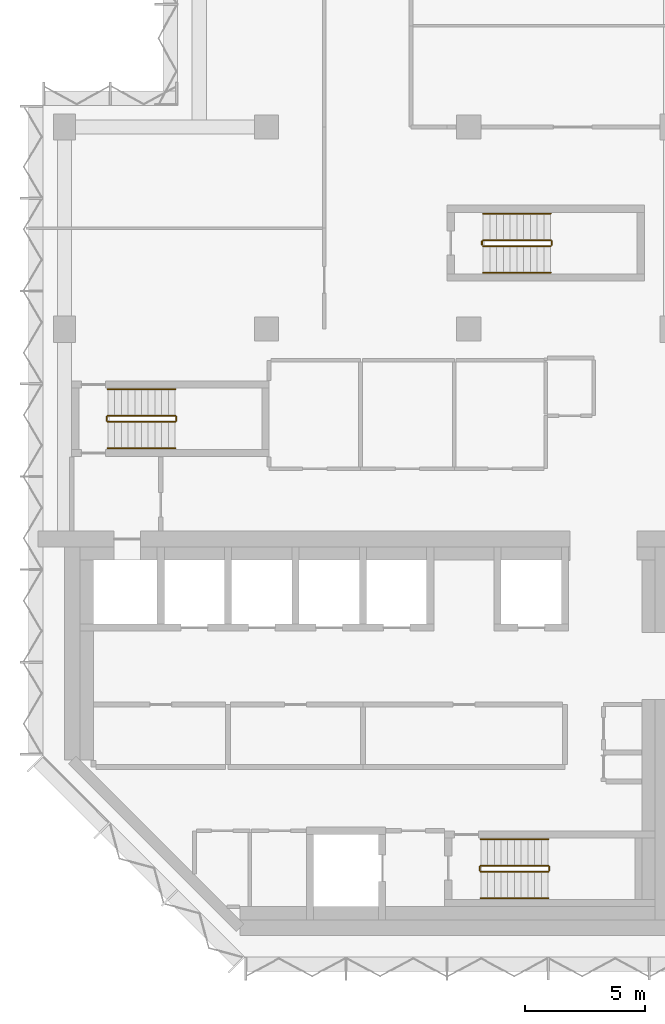
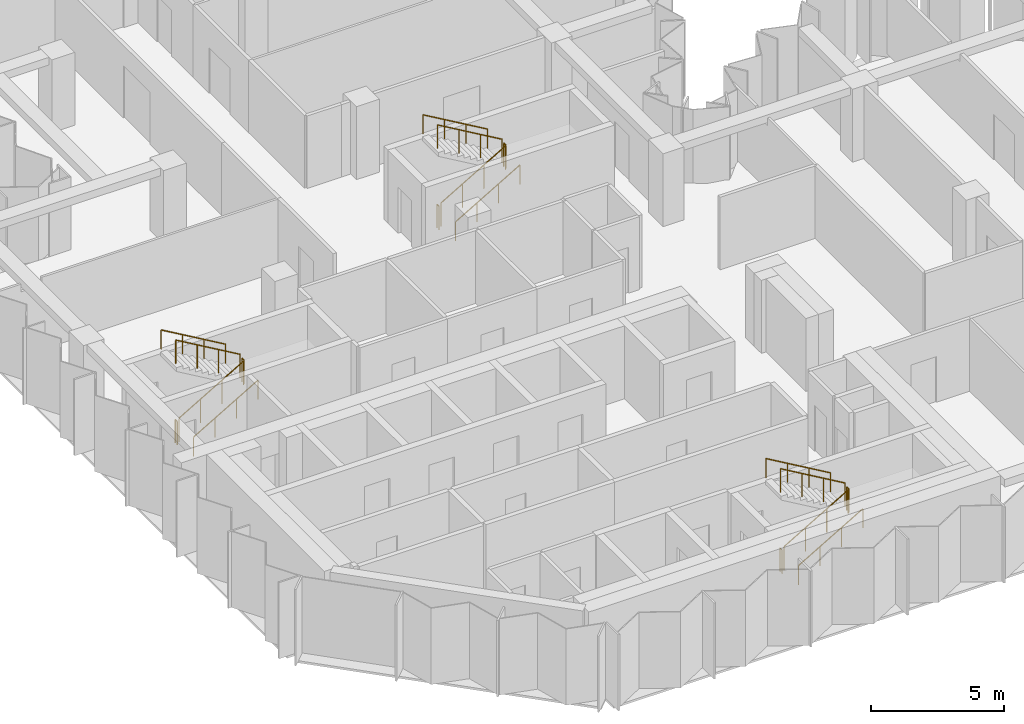
# One storey, part 9 of 10: 18 railings.
"""IFC4 building model written with IfcOpenShell, lengths in metres."""

from ifc_helpers import new_model, si_unit, direction, frame, origin, origin_2d, place, context, subcontext, project, spatial, circle, extrude, material, type_object, element, save


model = new_model("IFC4")

# Units and contexts
model_context = context("Model", 3, precision=1e-05, world=origin(), true_north=direction((0.0, 1.0)))
body_context = subcontext(model_context, "Body", "Model", "MODEL_VIEW")
ifc_project = project(units=[si_unit("LENGTHUNIT", "METRE"), si_unit("AREAUNIT", "SQUARE_METRE"), si_unit("VOLUMEUNIT", "CUBIC_METRE"), si_unit("PLANEANGLEUNIT", "RADIAN"), si_unit("MASSUNIT", "GRAM", prefix="KILO")], contexts=[model_context])

# Site, building, storey
site_placement = place(None, origin())
site = spatial("IfcSite", under=ifc_project, at=site_placement, CompositionType="ELEMENT")
building_placement = place(site_placement, origin())
building = spatial("IfcBuilding", under=site, at=building_placement, Name="Brevane Broadcast Tower", CompositionType="ELEMENT")
storey_placement = place(building_placement, frame((0.0, 0.0, 199.199951171875)))
storey = spatial("IfcBuildingStorey", under=building, at=storey_placement, Name="L50", CompositionType="ELEMENT", Elevation=199.199951171875)

# Railings
ifc_material = material(Name="Steel S355", Category="steel")
railing_type_1 = type_object("IfcRailingType", Name="Exit stair guard", PredefinedType="GUARDRAIL", material=ifc_material)
railing_1_placement = place(storey_placement, frame((1.800048828125, 21.35009765625, 0.16357421875)))
element("IfcRailing", 1, at=railing_1_placement, inside=storey, type_object=railing_type_1, Name="L50 ST-1 stair guard 1", PredefinedType="GUARDRAIL", context=body_context, shape_type="SweptSolid", body=[
    extrude(circle(Radius=0.02392578125, at=origin_2d()), frame((0.0, 0.0, 1.076171875), z_axis=(0.863360870873, 0.0, 0.504586966384), x_axis=(0.0, 1.0, 0.0)), (0.0, 0.0, 1.0), 3.2431640625),
    extrude(circle(Radius=0.02099609375, at=origin_2d()), origin(), (0.0, 0.0, 1.0), 1.052001953125),
    extrude(circle(Radius=0.02099609375, at=origin_2d()), frame((0.933349609375, 0.0, 0.54541015625)), (0.0, 0.0, 1.0), 1.052001953125),
    extrude(circle(Radius=0.02099609375, at=origin_2d()), frame((1.86669921875, 0.0, 1.091064453125)), (0.0, 0.0, 1.0), 1.052001953125),
    extrude(circle(Radius=0.02099609375, at=origin_2d()), frame((2.800048828125, 0.0, 1.636474609375)), (0.0, 0.0, 1.0), 1.052001953125),
])
railing_2_placement = place(storey_placement, frame((4.64990234375, 21.39990234375, 1.800048828125)))
element("IfcRailing", 2, at=railing_2_placement, inside=storey, type_object=railing_type_1, Name="L50 ST-1 stair guard 2", PredefinedType="GUARDRAIL", context=body_context, shape_type="SweptSolid", body=[
    extrude(circle(Radius=0.02392578125, at=origin_2d()), frame((0.0, 0.0, 1.076171875), z_axis=(0.0, 1.0, 0.0), x_axis=(-1.0, 0.0, 0.0)), (0.0, 0.0, 1.0), 0.150146484375),
    extrude(circle(Radius=0.02099609375, at=origin_2d()), origin(), (0.0, 0.0, 1.0), 1.052001953125),
    extrude(circle(Radius=0.02099609375, at=origin_2d()), frame((0.0, 0.150146484375, 0.0)), (0.0, 0.0, 1.0), 1.052001953125),
])
railing_3_placement = place(storey_placement, frame((4.60009765625, 21.60009765625, 1.963623046875)))
element("IfcRailing", 3, at=railing_3_placement, inside=storey, type_object=railing_type_1, Name="L50 ST-1 stair guard 3", PredefinedType="GUARDRAIL", context=body_context, shape_type="SweptSolid", body=[
    extrude(circle(Radius=0.02392578125, at=origin_2d()), frame((0.0, 0.0, 1.076171875), z_axis=(-0.863360870873, 0.0, 0.504586966384), x_axis=(0.0, -1.0, 0.0)), (0.0, 0.0, 1.0), 3.2431640625),
    extrude(circle(Radius=0.02099609375, at=origin_2d()), origin(), (0.0, 0.0, 1.0), 1.052001953125),
    extrude(circle(Radius=0.02099609375, at=origin_2d()), frame((-0.933349609375, 0.0, 0.54541015625)), (0.0, 0.0, 1.0), 1.052001953125),
    extrude(circle(Radius=0.02099609375, at=origin_2d()), frame((-1.86669921875, 0.0, 1.091064453125)), (0.0, 0.0, 1.0), 1.052001953125),
    extrude(circle(Radius=0.02099609375, at=origin_2d()), frame((-2.800048828125, 0.0, 1.636474609375)), (0.0, 0.0, 1.0), 1.052001953125),
])
railing_4_placement = place(storey_placement, frame((1.75, 21.39990234375, 0.0)))
element("IfcRailing", 4, at=railing_4_placement, inside=storey, type_object=railing_type_1, Name="L50 ST-1 stair guard 4", PredefinedType="GUARDRAIL", context=body_context, shape_type="SweptSolid", body=[
    extrude(circle(Radius=0.02392578125, at=origin_2d()), frame((0.0, 0.0, 1.076171875), z_axis=(0.0, 1.0, 0.0), x_axis=(-1.0, 0.0, 0.0)), (0.0, 0.0, 1.0), 0.150146484375),
    extrude(circle(Radius=0.02099609375, at=origin_2d()), origin(), (0.0, 0.0, 1.0), 1.052001953125),
    extrude(circle(Radius=0.02099609375, at=origin_2d()), frame((0.0, 0.150146484375, 0.0)), (0.0, 0.0, 1.0), 1.052001953125),
])
railing_5_placement = place(storey_placement, frame((17.300048828125, 2.64990234375, 0.16357421875)))
element("IfcRailing", 5, at=railing_5_placement, inside=storey, type_object=railing_type_1, Name="L50 ST-2 stair guard 1", PredefinedType="GUARDRAIL", context=body_context, shape_type="SweptSolid", body=[
    extrude(circle(Radius=0.02392578125, at=origin_2d()), frame((0.0, 0.0, 1.076171875), z_axis=(0.863360870873, 0.0, 0.504586966384), x_axis=(0.0, 1.0, 0.0)), (0.0, 0.0, 1.0), 3.2431640625),
    extrude(circle(Radius=0.02099609375, at=origin_2d()), origin(), (0.0, 0.0, 1.0), 1.052001953125),
    extrude(circle(Radius=0.02099609375, at=origin_2d()), frame((0.933349609375, 0.0, 0.54541015625)), (0.0, 0.0, 1.0), 1.052001953125),
    extrude(circle(Radius=0.02099609375, at=origin_2d()), frame((1.86669921875, 0.0, 1.091064453125)), (0.0, 0.0, 1.0), 1.052001953125),
    extrude(circle(Radius=0.02099609375, at=origin_2d()), frame((2.800048828125, 0.0, 1.636474609375)), (0.0, 0.0, 1.0), 1.052001953125),
])
railing_6_placement = place(storey_placement, frame((20.14990234375, 2.699951171875, 1.800048828125)))
element("IfcRailing", 6, at=railing_6_placement, inside=storey, type_object=railing_type_1, Name="L50 ST-2 stair guard 2", PredefinedType="GUARDRAIL", context=body_context, shape_type="SweptSolid", body=[
    extrude(circle(Radius=0.02392578125, at=origin_2d()), frame((0.0, 0.0, 1.076171875), z_axis=(0.0, 1.0, 0.0), x_axis=(-1.0, 0.0, 0.0)), (0.0, 0.0, 1.0), 0.150146484375),
    extrude(circle(Radius=0.02099609375, at=origin_2d()), origin(), (0.0, 0.0, 1.0), 1.052001953125),
    extrude(circle(Radius=0.02099609375, at=origin_2d()), frame((0.0, 0.150146484375, 0.0)), (0.0, 0.0, 1.0), 1.052001953125),
])
railing_7_placement = place(storey_placement, frame((20.10009765625, 2.89990234375, 1.963623046875)))
element("IfcRailing", 7, at=railing_7_placement, inside=storey, type_object=railing_type_1, Name="L50 ST-2 stair guard 3", PredefinedType="GUARDRAIL", context=body_context, shape_type="SweptSolid", body=[
    extrude(circle(Radius=0.02392578125, at=origin_2d()), frame((0.0, 0.0, 1.076171875), z_axis=(-0.863360870873, 0.0, 0.504586966384), x_axis=(0.0, -1.0, 0.0)), (0.0, 0.0, 1.0), 3.2431640625),
    extrude(circle(Radius=0.02099609375, at=origin_2d()), origin(), (0.0, 0.0, 1.0), 1.052001953125),
    extrude(circle(Radius=0.02099609375, at=origin_2d()), frame((-0.933349609375, 0.0, 0.54541015625)), (0.0, 0.0, 1.0), 1.052001953125),
    extrude(circle(Radius=0.02099609375, at=origin_2d()), frame((-1.86669921875, 0.0, 1.091064453125)), (0.0, 0.0, 1.0), 1.052001953125),
    extrude(circle(Radius=0.02099609375, at=origin_2d()), frame((-2.800048828125, 0.0, 1.636474609375)), (0.0, 0.0, 1.0), 1.052001953125),
])
railing_8_placement = place(storey_placement, frame((17.25, 2.699951171875, 0.0)))
element("IfcRailing", 8, at=railing_8_placement, inside=storey, type_object=railing_type_1, Name="L50 ST-2 stair guard 4", PredefinedType="GUARDRAIL", context=body_context, shape_type="SweptSolid", body=[
    extrude(circle(Radius=0.02392578125, at=origin_2d()), frame((0.0, 0.0, 1.076171875), z_axis=(0.0, 1.0, 0.0), x_axis=(-1.0, 0.0, 0.0)), (0.0, 0.0, 1.0), 0.150146484375),
    extrude(circle(Radius=0.02099609375, at=origin_2d()), origin(), (0.0, 0.0, 1.0), 1.052001953125),
    extrude(circle(Radius=0.02099609375, at=origin_2d()), frame((0.0, 0.150146484375, 0.0)), (0.0, 0.0, 1.0), 1.052001953125),
])
railing_9_placement = place(storey_placement, frame((17.39990234375, 28.64990234375, 0.16357421875)))
element("IfcRailing", 9, at=railing_9_placement, inside=storey, type_object=railing_type_1, Name="L50 ST-3 stair guard 1", PredefinedType="GUARDRAIL", context=body_context, shape_type="SweptSolid", body=[
    extrude(circle(Radius=0.02392578125, at=origin_2d()), frame((0.0, 0.0, 1.076171875), z_axis=(0.863360870873, 0.0, 0.504586966384), x_axis=(0.0, 1.0, 0.0)), (0.0, 0.0, 1.0), 3.2431640625),
    extrude(circle(Radius=0.02099609375, at=origin_2d()), origin(), (0.0, 0.0, 1.0), 1.052001953125),
    extrude(circle(Radius=0.02099609375, at=origin_2d()), frame((0.933349609375, 0.0, 0.54541015625)), (0.0, 0.0, 1.0), 1.052001953125),
    extrude(circle(Radius=0.02099609375, at=origin_2d()), frame((1.86669921875, 0.0, 1.091064453125)), (0.0, 0.0, 1.0), 1.052001953125),
    extrude(circle(Radius=0.02099609375, at=origin_2d()), frame((2.800048828125, 0.0, 1.636474609375)), (0.0, 0.0, 1.0), 1.052001953125),
])
railing_10_placement = place(storey_placement, frame((20.25, 28.699951171875, 1.800048828125)))
element("IfcRailing", 10, at=railing_10_placement, inside=storey, type_object=railing_type_1, Name="L50 ST-3 stair guard 2", PredefinedType="GUARDRAIL", context=body_context, shape_type="SweptSolid", body=[
    extrude(circle(Radius=0.02392578125, at=origin_2d()), frame((0.0, 0.0, 1.076171875), z_axis=(0.0, 1.0, 0.0), x_axis=(-1.0, 0.0, 0.0)), (0.0, 0.0, 1.0), 0.150146484375),
    extrude(circle(Radius=0.02099609375, at=origin_2d()), origin(), (0.0, 0.0, 1.0), 1.052001953125),
    extrude(circle(Radius=0.02099609375, at=origin_2d()), frame((0.0, 0.150146484375, 0.0)), (0.0, 0.0, 1.0), 1.052001953125),
])
railing_11_placement = place(storey_placement, frame((20.199951171875, 28.89990234375, 1.963623046875)))
element("IfcRailing", 11, at=railing_11_placement, inside=storey, type_object=railing_type_1, Name="L50 ST-3 stair guard 3", PredefinedType="GUARDRAIL", context=body_context, shape_type="SweptSolid", body=[
    extrude(circle(Radius=0.02392578125, at=origin_2d()), frame((0.0, 0.0, 1.076171875), z_axis=(-0.863360870873, 0.0, 0.504586966384), x_axis=(0.0, -1.0, 0.0)), (0.0, 0.0, 1.0), 3.2431640625),
    extrude(circle(Radius=0.02099609375, at=origin_2d()), origin(), (0.0, 0.0, 1.0), 1.052001953125),
    extrude(circle(Radius=0.02099609375, at=origin_2d()), frame((-0.933349609375, 0.0, 0.54541015625)), (0.0, 0.0, 1.0), 1.052001953125),
    extrude(circle(Radius=0.02099609375, at=origin_2d()), frame((-1.86669921875, 0.0, 1.091064453125)), (0.0, 0.0, 1.0), 1.052001953125),
    extrude(circle(Radius=0.02099609375, at=origin_2d()), frame((-2.800048828125, 0.0, 1.636474609375)), (0.0, 0.0, 1.0), 1.052001953125),
])
railing_12_placement = place(storey_placement, frame((17.35009765625, 28.699951171875, 0.0)))
element("IfcRailing", 12, at=railing_12_placement, inside=storey, type_object=railing_type_1, Name="L50 ST-3 stair guard 4", PredefinedType="GUARDRAIL", context=body_context, shape_type="SweptSolid", body=[
    extrude(circle(Radius=0.02392578125, at=origin_2d()), frame((0.0, 0.0, 1.076171875), z_axis=(0.0, 1.0, 0.0), x_axis=(-1.0, 0.0, 0.0)), (0.0, 0.0, 1.0), 0.150146484375),
    extrude(circle(Radius=0.02099609375, at=origin_2d()), origin(), (0.0, 0.0, 1.0), 1.052001953125),
    extrude(circle(Radius=0.02099609375, at=origin_2d()), frame((0.0, 0.150146484375, 0.0)), (0.0, 0.0, 1.0), 1.052001953125),
])
railing_type_2 = type_object("IfcRailingType", Name="Exit stair handrail", PredefinedType="HANDRAIL", material=ifc_material)
railing_13_placement = place(storey_placement, frame((1.800048828125, 20.25, 0.16357421875)))
element("IfcRailing", 13, at=railing_13_placement, inside=storey, type_object=railing_type_2, Name="L50 ST-1 stair handrail 1", PredefinedType="HANDRAIL", context=body_context, shape_type="SweptSolid", body=[
    extrude(circle(Radius=0.02392578125, at=origin_2d()), frame((0.0, 0.0, 0.8759765625), z_axis=(0.863360870873, 0.0, 0.504586966384), x_axis=(0.0, 1.0, 0.0)), (0.0, 0.0, 1.0), 3.2431640625),
    extrude(circle(Radius=0.02099609375, at=origin_2d()), origin(), (0.0, 0.0, 1.0), 0.851806640625),
    extrude(circle(Radius=0.02099609375, at=origin_2d()), frame((0.933349609375, 0.0, 0.54541015625)), (0.0, 0.0, 1.0), 0.851806640625),
    extrude(circle(Radius=0.02099609375, at=origin_2d()), frame((1.86669921875, 0.0, 1.091064453125)), (0.0, 0.0, 1.0), 0.851806640625),
    extrude(circle(Radius=0.02099609375, at=origin_2d()), frame((2.800048828125, 0.0, 1.636474609375)), (0.0, 0.0, 1.0), 0.851806640625),
])
railing_14_placement = place(storey_placement, frame((4.60009765625, 22.699951171875, 1.963623046875)))
element("IfcRailing", 14, at=railing_14_placement, inside=storey, type_object=railing_type_2, Name="L50 ST-1 stair handrail 2", PredefinedType="HANDRAIL", context=body_context, shape_type="SweptSolid", body=[
    extrude(circle(Radius=0.02392578125, at=origin_2d()), frame((0.0, 0.0, 0.8759765625), z_axis=(-0.863360870873, 0.0, 0.504586966384), x_axis=(0.0, -1.0, 0.0)), (0.0, 0.0, 1.0), 3.2431640625),
    extrude(circle(Radius=0.02099609375, at=origin_2d()), origin(), (0.0, 0.0, 1.0), 0.851806640625),
    extrude(circle(Radius=0.02099609375, at=origin_2d()), frame((-0.933349609375, 0.0, 0.54541015625)), (0.0, 0.0, 1.0), 0.851806640625),
    extrude(circle(Radius=0.02099609375, at=origin_2d()), frame((-1.86669921875, 0.0, 1.091064453125)), (0.0, 0.0, 1.0), 0.851806640625),
    extrude(circle(Radius=0.02099609375, at=origin_2d()), frame((-2.800048828125, 0.0, 1.636474609375)), (0.0, 0.0, 1.0), 0.851806640625),
])
railing_15_placement = place(storey_placement, frame((17.300048828125, 1.550048828125, 0.16357421875)))
element("IfcRailing", 15, at=railing_15_placement, inside=storey, type_object=railing_type_2, Name="L50 ST-2 stair handrail 1", PredefinedType="HANDRAIL", context=body_context, shape_type="SweptSolid", body=[
    extrude(circle(Radius=0.02392578125, at=origin_2d()), frame((0.0, 0.0, 0.8759765625), z_axis=(0.863360870873, 0.0, 0.504586966384), x_axis=(0.0, 1.0, 0.0)), (0.0, 0.0, 1.0), 3.2431640625),
    extrude(circle(Radius=0.02099609375, at=origin_2d()), origin(), (0.0, 0.0, 1.0), 0.851806640625),
    extrude(circle(Radius=0.02099609375, at=origin_2d()), frame((0.933349609375, 0.0, 0.54541015625)), (0.0, 0.0, 1.0), 0.851806640625),
    extrude(circle(Radius=0.02099609375, at=origin_2d()), frame((1.86669921875, 0.0, 1.091064453125)), (0.0, 0.0, 1.0), 0.851806640625),
    extrude(circle(Radius=0.02099609375, at=origin_2d()), frame((2.800048828125, 0.0, 1.636474609375)), (0.0, 0.0, 1.0), 0.851806640625),
])
railing_16_placement = place(storey_placement, frame((20.10009765625, 4.0, 1.963623046875)))
element("IfcRailing", 16, at=railing_16_placement, inside=storey, type_object=railing_type_2, Name="L50 ST-2 stair handrail 2", PredefinedType="HANDRAIL", context=body_context, shape_type="SweptSolid", body=[
    extrude(circle(Radius=0.02392578125, at=origin_2d()), frame((0.0, 0.0, 0.8759765625), z_axis=(-0.863360870873, 0.0, 0.504586966384), x_axis=(0.0, -1.0, 0.0)), (0.0, 0.0, 1.0), 3.2431640625),
    extrude(circle(Radius=0.02099609375, at=origin_2d()), origin(), (0.0, 0.0, 1.0), 0.851806640625),
    extrude(circle(Radius=0.02099609375, at=origin_2d()), frame((-0.933349609375, 0.0, 0.54541015625)), (0.0, 0.0, 1.0), 0.851806640625),
    extrude(circle(Radius=0.02099609375, at=origin_2d()), frame((-1.86669921875, 0.0, 1.091064453125)), (0.0, 0.0, 1.0), 0.851806640625),
    extrude(circle(Radius=0.02099609375, at=origin_2d()), frame((-2.800048828125, 0.0, 1.636474609375)), (0.0, 0.0, 1.0), 0.851806640625),
])
railing_17_placement = place(storey_placement, frame((17.39990234375, 27.550048828125, 0.16357421875)))
element("IfcRailing", 17, at=railing_17_placement, inside=storey, type_object=railing_type_2, Name="L50 ST-3 stair handrail 1", PredefinedType="HANDRAIL", context=body_context, shape_type="SweptSolid", body=[
    extrude(circle(Radius=0.02392578125, at=origin_2d()), frame((0.0, 0.0, 0.8759765625), z_axis=(0.863360870873, 0.0, 0.504586966384), x_axis=(0.0, 1.0, 0.0)), (0.0, 0.0, 1.0), 3.2431640625),
    extrude(circle(Radius=0.02099609375, at=origin_2d()), origin(), (0.0, 0.0, 1.0), 0.851806640625),
    extrude(circle(Radius=0.02099609375, at=origin_2d()), frame((0.933349609375, 0.0, 0.54541015625)), (0.0, 0.0, 1.0), 0.851806640625),
    extrude(circle(Radius=0.02099609375, at=origin_2d()), frame((1.86669921875, 0.0, 1.091064453125)), (0.0, 0.0, 1.0), 0.851806640625),
    extrude(circle(Radius=0.02099609375, at=origin_2d()), frame((2.800048828125, 0.0, 1.636474609375)), (0.0, 0.0, 1.0), 0.851806640625),
])
railing_18_placement = place(storey_placement, frame((20.199951171875, 30.0, 1.963623046875)))
element("IfcRailing", 18, at=railing_18_placement, inside=storey, type_object=railing_type_2, Name="L50 ST-3 stair handrail 2", PredefinedType="HANDRAIL", context=body_context, shape_type="SweptSolid", body=[
    extrude(circle(Radius=0.02392578125, at=origin_2d()), frame((0.0, 0.0, 0.8759765625), z_axis=(-0.863360870873, 0.0, 0.504586966384), x_axis=(0.0, -1.0, 0.0)), (0.0, 0.0, 1.0), 3.2431640625),
    extrude(circle(Radius=0.02099609375, at=origin_2d()), origin(), (0.0, 0.0, 1.0), 0.851806640625),
    extrude(circle(Radius=0.02099609375, at=origin_2d()), frame((-0.933349609375, 0.0, 0.54541015625)), (0.0, 0.0, 1.0), 0.851806640625),
    extrude(circle(Radius=0.02099609375, at=origin_2d()), frame((-1.86669921875, 0.0, 1.091064453125)), (0.0, 0.0, 1.0), 0.851806640625),
    extrude(circle(Radius=0.02099609375, at=origin_2d()), frame((-2.800048828125, 0.0, 1.636474609375)), (0.0, 0.0, 1.0), 0.851806640625),
])

save(model, "model.ifc")
